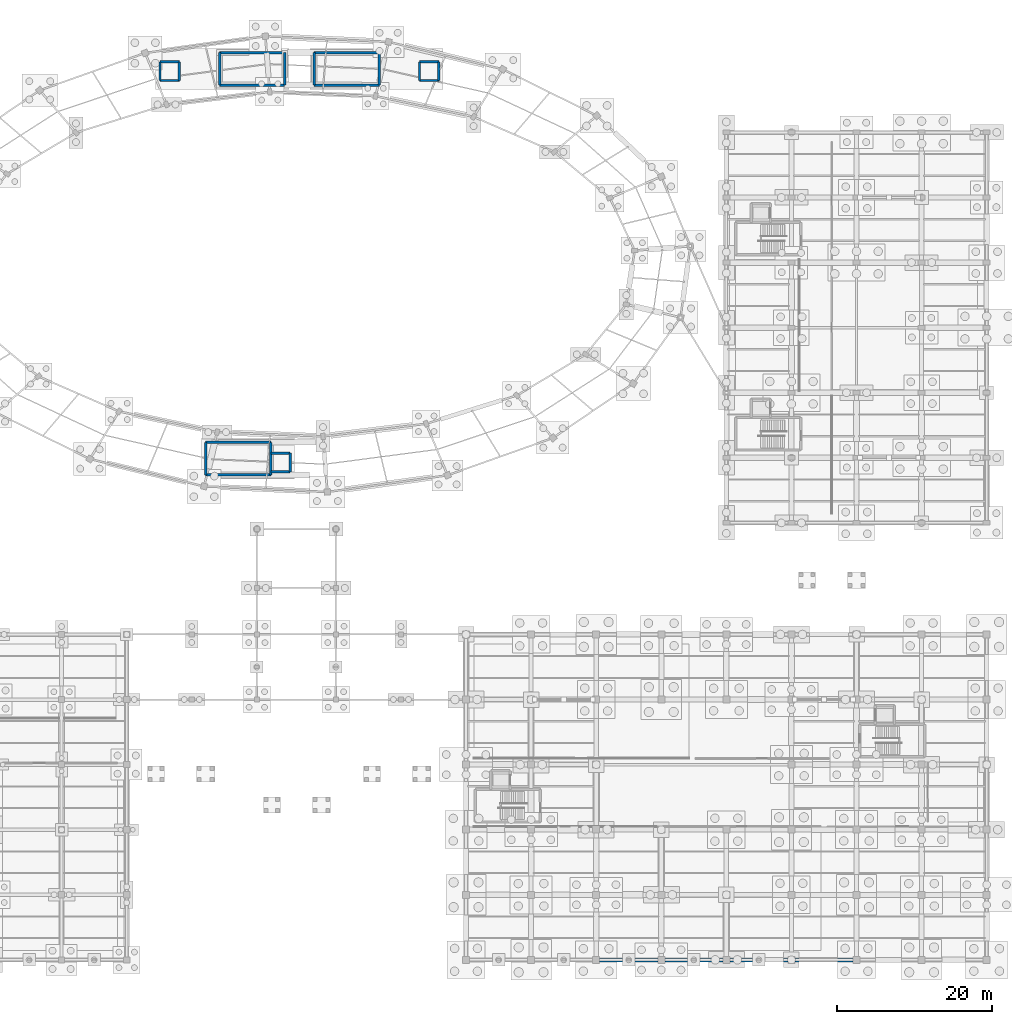
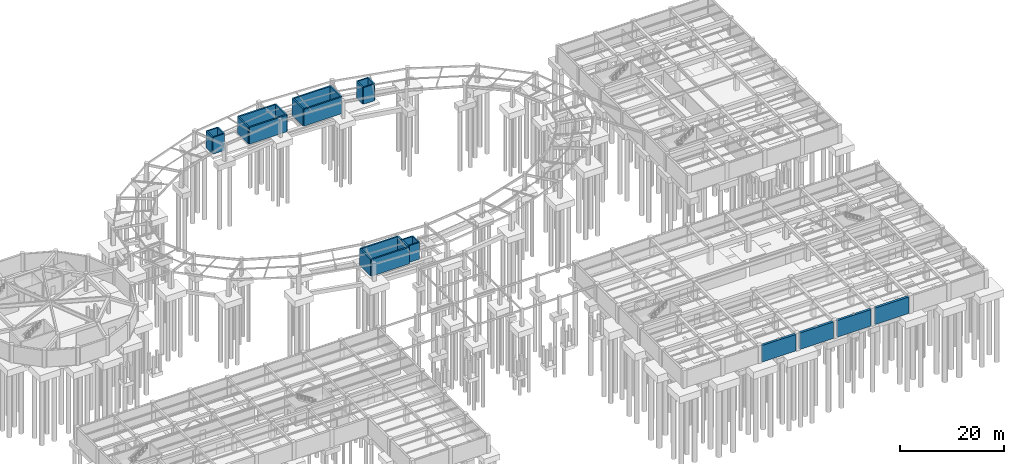
# One storey, part 28 of 38: 27 walls.
"""IFC4 building model written with IfcOpenShell, lengths in metres."""

from ifc_helpers import new_model, si_unit, direction, frame, frame_2d, origin, place, context, subcontext, project, spatial, rectangle, extrude, material, layer, layer_set, type_object, element, save


model = new_model("IFC4")

# Units and contexts
model_context = context("Model", 3, precision=1e-05, world=origin(), true_north=direction((0.0, 1.0)))
body_context = subcontext(model_context, "Body", "Model", "MODEL_VIEW")
ifc_project = project(units=[si_unit("LENGTHUNIT", "METRE"), si_unit("AREAUNIT", "SQUARE_METRE"), si_unit("VOLUMEUNIT", "CUBIC_METRE"), si_unit("PLANEANGLEUNIT", "RADIAN"), si_unit("MASSUNIT", "GRAM", prefix="KILO"), si_unit("THERMODYNAMICTEMPERATUREUNIT", "KELVIN"), si_unit("POWERUNIT", "WATT")], contexts=[model_context])

# Site, building, storey
site_placement = place(None, origin())
site = spatial("IfcSite", under=ifc_project, at=site_placement, CompositionType="ELEMENT")
building_placement = place(site_placement, origin())
building = spatial("IfcBuilding", under=site, at=building_placement, Name="Darbajah Civic Hall", CompositionType="ELEMENT")
storey_placement = place(building_placement, frame((0.0, 0.0, -4.199951171875)))
storey = spatial("IfcBuildingStorey", under=building, at=storey_placement, Name="B01", CompositionType="ELEMENT", Elevation=-4.199951171875)

# Walls
ifc_material_1 = material(Name="Concrete C45/55", Category="concrete")
ifc_layer_1 = layer(ifc_material_1, 0.52001953125, Name="Concrete C45/55")
ifc_layer_set_1 = layer_set([ifc_layer_1], Name="Concrete C45/55")
wall_type_1 = type_object("IfcWallType", Name="Basement Perimeter Wall 520mm", PredefinedType="SOLIDWALL", material=ifc_layer_set_1)
wall_1_placement = place(storey_placement, frame((128.251953125, 0.0, 0.0), z_axis=(0.0, 0.0, 1.0), x_axis=(1.0, 0.0, 0.0)))
element("IfcWall", 1, at=wall_1_placement, inside=storey, type_object=wall_type_1, Name="B01 exterior wall RW-520", PredefinedType="SOLIDWALL", context=body_context, shape_type="SweptSolid", body=[
    extrude(rectangle(XDim=7.49609375, YDim=0.52001953125, at=frame_2d((3.748046875, 0.0))), origin(), (0.0, 0.0, 1.0), 3.89990234375),
])
wall_2_placement = place(storey_placement, frame((136.652099609375, 0.0, 0.0), z_axis=(0.0, 0.0, 1.0), x_axis=(1.0, 0.0, 0.0)))
element("IfcWall", 2, at=wall_2_placement, inside=storey, type_object=wall_type_1, Name="B01 exterior wall RW-520", PredefinedType="SOLIDWALL", context=body_context, shape_type="SweptSolid", body=[
    extrude(rectangle(XDim=7.495849609375, YDim=0.52001953125, at=frame_2d((3.748046875, 0.0))), origin(), (0.0, 0.0, 1.0), 3.89990234375),
])
for number, where, z_axis, x_axis, name in (
    (3, (145.052001953125, 0.0, 0.0), (0.0, 0.0, 1.0), (1.0, 0.0, 0.0), "B01 exterior wall RW-520"),
    (4, (153.451904296875, 0.0, 0.0), (0.0, 0.0, 1.0), (1.0, 0.0, 0.0), "B01 exterior wall RW-520"),
):
    element("IfcWall", number, at=place(storey_placement, frame(where, z_axis=z_axis, x_axis=x_axis)), inside=storey, type_object=wall_type_1, Name=name, PredefinedType="SOLIDWALL", context=body_context, shape_type="SweptSolid", body=[
        extrude(rectangle(XDim=7.49609375, YDim=0.52001953125, at=frame_2d((3.748046875, 0.0))), origin(), (0.0, 0.0, 1.0), 3.89990234375),
    ])
ifc_layer_2 = layer(ifc_material_1, 0.300048828125, Name="Concrete C45/55")
ifc_layer_set_2 = layer_set([ifc_layer_2], Name="Concrete C45/55")
wall_type_2 = type_object("IfcWallType", Name="Core Shear Wall 300mm", PredefinedType="SHEAR", material=ifc_layer_set_2)
for number, where, z_axis, x_axis, name in (
    (5, (74.0, 115.89990234375, 0.0), (0.0, 0.0, 1.0), (-1.0, 0.0, 0.0), "B01 lift FL1 substructure shear wall N"),
    (6, (71.5, 113.5, 0.0), (0.0, 0.0, 1.0), (1.0, 0.0, 0.0), "B01 lift FL1 substructure shear wall S"),
):
    element("IfcWall", number, at=place(storey_placement, frame(where, z_axis=z_axis, x_axis=x_axis)), inside=storey, type_object=wall_type_2, Name=name, PredefinedType="SHEAR", context=body_context, shape_type="SweptSolid", body=[
        extrude(rectangle(XDim=2.5, YDim=0.300048828125, at=frame_2d((1.25, 0.0))), origin(), (0.0, 0.0, 1.0), 3.919921875),
    ])
for number, where, z_axis, x_axis, name in (
    (7, (74.0, 113.5, 0.0), (0.0, 0.0, 1.0), (0.0, 1.0, 0.0), "B01 lift FL1 substructure shear wall E"),
    (8, (71.5, 115.89990234375, 0.0), (0.0, 0.0, 1.0), (0.0, -1.0, 0.0), "B01 lift FL1 substructure shear wall W"),
):
    element("IfcWall", number, at=place(storey_placement, frame(where, z_axis=z_axis, x_axis=x_axis)), inside=storey, type_object=wall_type_2, Name=name, PredefinedType="SHEAR", context=body_context, shape_type="SweptSolid", body=[
        extrude(rectangle(XDim=2.39990234375, YDim=0.300048828125, at=frame_2d((1.199951171875, 0.0))), origin(), (0.0, 0.0, 1.0), 3.919921875),
    ])
for number, where, z_axis, x_axis, name in (
    (9, (107.5, 115.89990234375, 0.0), (0.0, 0.0, 1.0), (-1.0, 0.0, 0.0), "B01 lift FL2 substructure shear wall N"),
    (10, (105.0, 113.5, 0.0), (0.0, 0.0, 1.0), (1.0, 0.0, 0.0), "B01 lift FL2 substructure shear wall S"),
):
    element("IfcWall", number, at=place(storey_placement, frame(where, z_axis=z_axis, x_axis=x_axis)), inside=storey, type_object=wall_type_2, Name=name, PredefinedType="SHEAR", context=body_context, shape_type="SweptSolid", body=[
        extrude(rectangle(XDim=2.5, YDim=0.300048828125, at=frame_2d((1.25, 0.0))), origin(), (0.0, 0.0, 1.0), 3.919921875),
    ])
for number, where, z_axis, x_axis, name in (
    (11, (107.5, 113.5, 0.0), (0.0, 0.0, 1.0), (0.0, 1.0, 0.0), "B01 lift FL2 substructure shear wall E"),
    (12, (105.0, 115.89990234375, 0.0), (0.0, 0.0, 1.0), (0.0, -1.0, 0.0), "B01 lift FL2 substructure shear wall W"),
):
    element("IfcWall", number, at=place(storey_placement, frame(where, z_axis=z_axis, x_axis=x_axis)), inside=storey, type_object=wall_type_2, Name=name, PredefinedType="SHEAR", context=body_context, shape_type="SweptSolid", body=[
        extrude(rectangle(XDim=2.39990234375, YDim=0.300048828125, at=frame_2d((1.199951171875, 0.0))), origin(), (0.0, 0.0, 1.0), 3.919921875),
    ])
for number, where, z_axis, x_axis, name in (
    (13, (88.300048828125, 65.39990234375, 0.0), (0.0, 0.0, 1.0), (-1.0, 0.0, 0.0), "B01 lift PL1 substructure shear wall N"),
    (14, (85.800048828125, 63.0, 0.0), (0.0, 0.0, 1.0), (1.0, 0.0, 0.0), "B01 lift PL1 substructure shear wall S"),
):
    element("IfcWall", number, at=place(storey_placement, frame(where, z_axis=z_axis, x_axis=x_axis)), inside=storey, type_object=wall_type_2, Name=name, PredefinedType="SHEAR", context=body_context, shape_type="SweptSolid", body=[
        extrude(rectangle(XDim=2.5, YDim=0.300048828125, at=frame_2d((1.25, 0.0))), origin(), (0.0, 0.0, 1.0), 3.919921875),
    ])
wall_3_placement = place(storey_placement, frame((88.300048828125, 63.0, 0.0), z_axis=(0.0, 0.0, 1.0), x_axis=(0.0, 1.0, 0.0)))
element("IfcWall", 15, at=wall_3_placement, inside=storey, type_object=wall_type_2, Name="B01 lift PL1 substructure shear wall E", PredefinedType="SHEAR", context=body_context, shape_type="SweptSolid", body=[
    extrude(rectangle(XDim=2.39990234375, YDim=0.300048828125, at=frame_2d((1.199951171875, 0.0))), origin(), (0.0, 0.0, 1.0), 3.919921875),
])
ifc_material_2 = material(Name="Concrete C50/60", Category="concrete")
ifc_layer_3 = layer(ifc_material_2, 0.35009765625, Name="Concrete C50/60")
ifc_layer_set_3 = layer_set([ifc_layer_3], Name="Concrete C50/60")
wall_type_3 = type_object("IfcWallType", Name="Core Shear Wall 350mm", PredefinedType="SHEAR", material=ifc_layer_set_3)
wall_4_placement = place(storey_placement, frame((79.199951171875, 112.89990234375, 0.0), z_axis=(0.0, 0.0, 1.0), x_axis=(1.0, 0.0, 0.0)))
element("IfcWall", 16, at=wall_4_placement, inside=storey, type_object=wall_type_3, Name="B01 core C01 substructure shear wall S", PredefinedType="SHEAR", context=body_context, shape_type="SweptSolid", body=[
    extrude(rectangle(XDim=8.400146484375, YDim=0.35009765625, at=frame_2d((4.2001953125, 0.0))), origin(), (0.0, 0.0, 1.0), 3.919921875),
])
wall_5_placement = place(storey_placement, frame((87.60009765625, 112.89990234375, 0.0), z_axis=(0.0, 0.0, 1.0), x_axis=(0.0, 1.0, 0.0)))
element("IfcWall", 17, at=wall_5_placement, inside=storey, type_object=wall_type_3, Name="B01 core C01 substructure shear wall E", PredefinedType="SHEAR", context=body_context, shape_type="SweptSolid", body=[
    extrude(rectangle(XDim=4.2001953125, YDim=0.35009765625, at=frame_2d((2.10009765625, 0.0))), origin(), (0.0, 0.0, 1.0), 3.919921875),
])
wall_6_placement = place(storey_placement, frame((87.60009765625, 117.10009765625, 0.0), z_axis=(0.0, 0.0, 1.0), x_axis=(-1.0, 0.0, 0.0)))
element("IfcWall", 18, at=wall_6_placement, inside=storey, type_object=wall_type_3, Name="B01 core C01 substructure shear wall N", PredefinedType="SHEAR", context=body_context, shape_type="SweptSolid", body=[
    extrude(rectangle(XDim=8.400146484375, YDim=0.35009765625, at=frame_2d((4.2001953125, 0.0))), origin(), (0.0, 0.0, 1.0), 3.919921875),
])
wall_7_placement = place(storey_placement, frame((79.199951171875, 117.10009765625, 0.0), z_axis=(0.0, 0.0, 1.0), x_axis=(0.0, -1.0, 0.0)))
element("IfcWall", 19, at=wall_7_placement, inside=storey, type_object=wall_type_3, Name="B01 core C01 substructure shear wall W", PredefinedType="SHEAR", context=body_context, shape_type="SweptSolid", body=[
    extrude(rectangle(XDim=4.2001953125, YDim=0.35009765625, at=frame_2d((2.10009765625, 0.0))), origin(), (0.0, 0.0, 1.0), 3.919921875),
])
wall_8_placement = place(storey_placement, frame((91.39990234375, 112.89990234375, 0.0), z_axis=(0.0, 0.0, 1.0), x_axis=(1.0, 0.0, 0.0)))
element("IfcWall", 20, at=wall_8_placement, inside=storey, type_object=wall_type_3, Name="B01 core C02 substructure shear wall S", PredefinedType="SHEAR", context=body_context, shape_type="SweptSolid", body=[
    extrude(rectangle(XDim=8.400146484375, YDim=0.35009765625, at=frame_2d((4.2001953125, 0.0))), origin(), (0.0, 0.0, 1.0), 3.919921875),
])
wall_9_placement = place(storey_placement, frame((99.800048828125, 112.89990234375, 0.0), z_axis=(0.0, 0.0, 1.0), x_axis=(0.0, 1.0, 0.0)))
element("IfcWall", 21, at=wall_9_placement, inside=storey, type_object=wall_type_3, Name="B01 core C02 substructure shear wall E", PredefinedType="SHEAR", context=body_context, shape_type="SweptSolid", body=[
    extrude(rectangle(XDim=4.2001953125, YDim=0.35009765625, at=frame_2d((2.10009765625, 0.0))), origin(), (0.0, 0.0, 1.0), 3.919921875),
])
wall_10_placement = place(storey_placement, frame((99.800048828125, 117.10009765625, 0.0), z_axis=(0.0, 0.0, 1.0), x_axis=(-1.0, 0.0, 0.0)))
element("IfcWall", 22, at=wall_10_placement, inside=storey, type_object=wall_type_3, Name="B01 core C02 substructure shear wall N", PredefinedType="SHEAR", context=body_context, shape_type="SweptSolid", body=[
    extrude(rectangle(XDim=8.400146484375, YDim=0.35009765625, at=frame_2d((4.2001953125, 0.0))), origin(), (0.0, 0.0, 1.0), 3.919921875),
])
wall_11_placement = place(storey_placement, frame((91.39990234375, 117.10009765625, 0.0), z_axis=(0.0, 0.0, 1.0), x_axis=(0.0, -1.0, 0.0)))
element("IfcWall", 23, at=wall_11_placement, inside=storey, type_object=wall_type_3, Name="B01 core C02 substructure shear wall W", PredefinedType="SHEAR", context=body_context, shape_type="SweptSolid", body=[
    extrude(rectangle(XDim=4.2001953125, YDim=0.35009765625, at=frame_2d((2.10009765625, 0.0))), origin(), (0.0, 0.0, 1.0), 3.919921875),
])
wall_12_placement = place(storey_placement, frame((77.39990234375, 62.60009765625, 0.0), z_axis=(0.0, 0.0, 1.0), x_axis=(1.0, 0.0, 0.0)))
element("IfcWall", 24, at=wall_12_placement, inside=storey, type_object=wall_type_3, Name="B01 core C03 substructure shear wall S", PredefinedType="SHEAR", context=body_context, shape_type="SweptSolid", body=[
    extrude(rectangle(XDim=8.400146484375, YDim=0.35009765625, at=frame_2d((4.2001953125, 0.0))), origin(), (0.0, 0.0, 1.0), 3.919921875),
])
wall_13_placement = place(storey_placement, frame((85.800048828125, 62.60009765625, 0.0), z_axis=(0.0, 0.0, 1.0), x_axis=(0.0, 1.0, 0.0)))
element("IfcWall", 25, at=wall_13_placement, inside=storey, type_object=wall_type_3, Name="B01 core C03 substructure shear wall E", PredefinedType="SHEAR", context=body_context, shape_type="SweptSolid", body=[
    extrude(rectangle(XDim=4.199951171875, YDim=0.35009765625, at=frame_2d((2.10009765625, 0.0))), origin(), (0.0, 0.0, 1.0), 3.919921875),
])
wall_14_placement = place(storey_placement, frame((85.800048828125, 66.800048828125, 0.0), z_axis=(0.0, 0.0, 1.0), x_axis=(-1.0, 0.0, 0.0)))
element("IfcWall", 26, at=wall_14_placement, inside=storey, type_object=wall_type_3, Name="B01 core C03 substructure shear wall N", PredefinedType="SHEAR", context=body_context, shape_type="SweptSolid", body=[
    extrude(rectangle(XDim=8.400146484375, YDim=0.35009765625, at=frame_2d((4.2001953125, 0.0))), origin(), (0.0, 0.0, 1.0), 3.919921875),
])
wall_15_placement = place(storey_placement, frame((77.39990234375, 66.800048828125, 0.0), z_axis=(0.0, 0.0, 1.0), x_axis=(0.0, -1.0, 0.0)))
element("IfcWall", 27, at=wall_15_placement, inside=storey, type_object=wall_type_3, Name="B01 core C03 substructure shear wall W", PredefinedType="SHEAR", context=body_context, shape_type="SweptSolid", body=[
    extrude(rectangle(XDim=4.199951171875, YDim=0.35009765625, at=frame_2d((2.10009765625, 0.0))), origin(), (0.0, 0.0, 1.0), 3.919921875),
])

save(model, "model.ifc")
